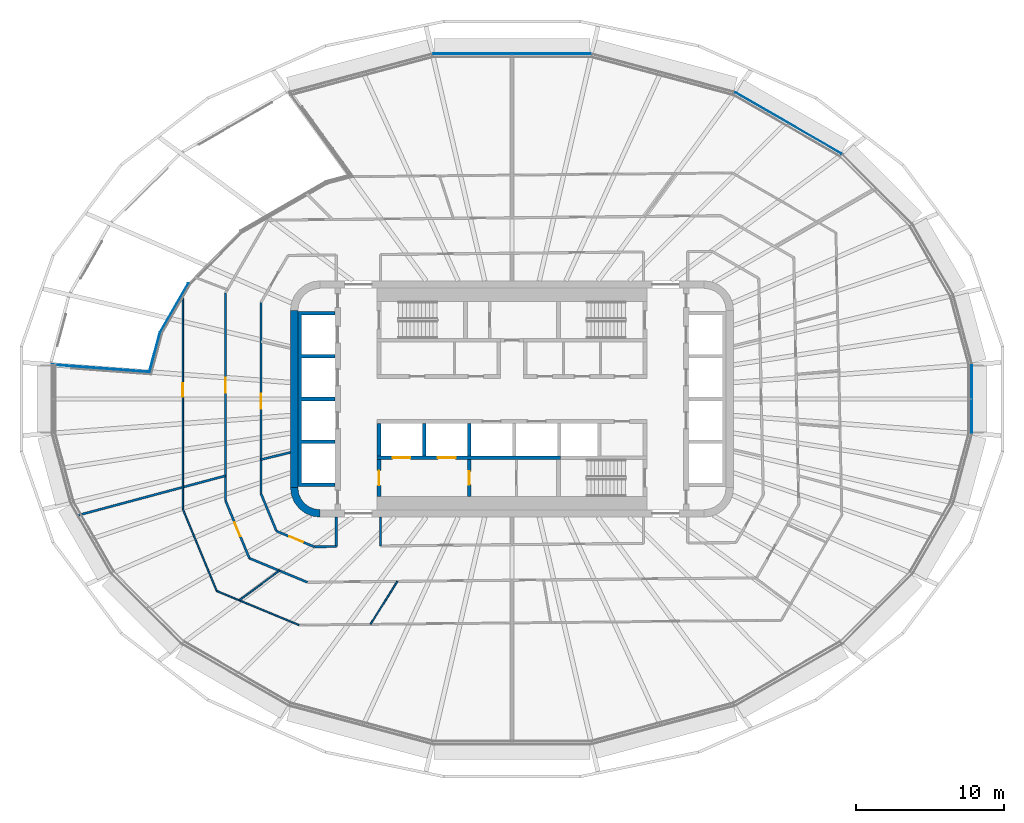
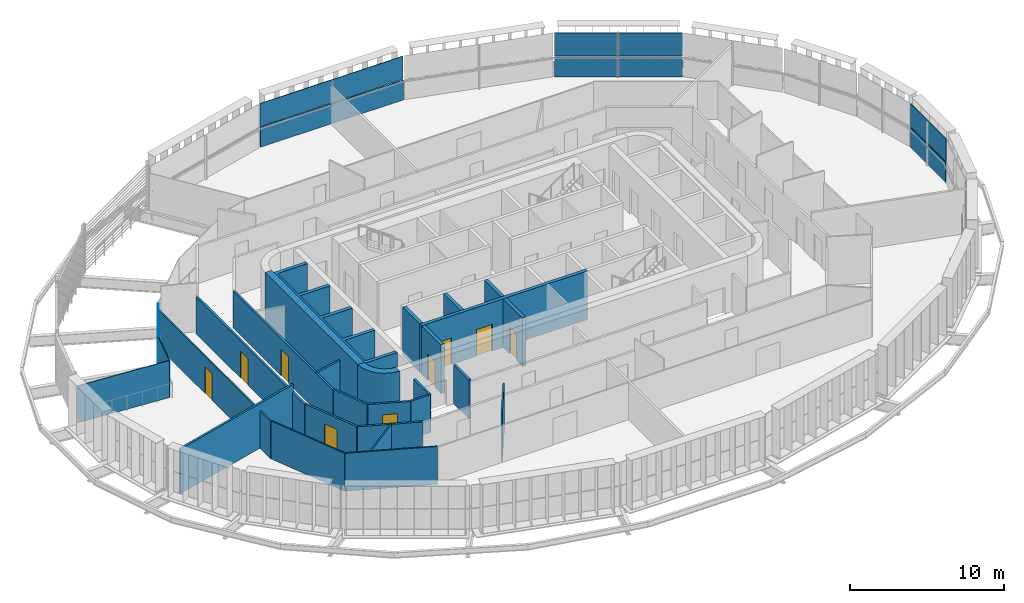
# One storey, part 11 of 23: 28 walls, 9 doors, 6 plates, 9 openings, 3 elements without a shape of their own.
"""IFC4 building model written with IfcOpenShell, lengths in metres."""

from ifc_helpers import new_model, si_unit, direction, frame, frame_2d, origin, place, context, subcontext, project, spatial, polyline, rectangle, outline, extrude, material, layer, layer_set, type_object, element, fill, aggregate, save


model = new_model("IFC4")

# Units and contexts
model_context = context("Model", 3, precision=1e-05, world=origin(), true_north=direction((0.0, 1.0)))
body_context = subcontext(model_context, "Body", "Model", "MODEL_VIEW")
ifc_project = project(units=[si_unit("LENGTHUNIT", "METRE"), si_unit("AREAUNIT", "SQUARE_METRE"), si_unit("VOLUMEUNIT", "CUBIC_METRE"), si_unit("PLANEANGLEUNIT", "RADIAN"), si_unit("MASSUNIT", "GRAM", prefix="KILO")], contexts=[model_context])

# Site, building, storey
site_placement = place(None, origin())
site = spatial("IfcSite", under=ifc_project, at=site_placement, CompositionType="ELEMENT")
building_placement = place(site_placement, origin())
building = spatial("IfcBuilding", under=site, at=building_placement, Name="Sahrelin Media Tower", CompositionType="ELEMENT")
storey_placement = place(building_placement, frame((0.0, 0.0, 173.60009765625)))
storey = spatial("IfcBuildingStorey", under=building, at=storey_placement, Name="L36", CompositionType="ELEMENT", Elevation=173.60009765625)

# Curtain wall, plate
ifc_material_1 = material(Name="Champagne anodised aluminium 6063-T6", Category="aluminium")
ifc_layer_1 = layer(ifc_material_1, 0.14990234375)
ifc_layer_set_1 = layer_set([ifc_layer_1], Name="Tower ribbon curtain wall")
curtain_wall_type = type_object("IfcCurtainWallType", Name="Tower ribbon curtain wall", PredefinedType="NOTDEFINED", material=ifc_layer_set_1)
curtain_wall_1_placement = place(storey_placement, frame((31.14892578125, 0.0, 0.0), z_axis=(0.0, 0.0, 1.0), x_axis=(1.0, 0.0, 0.0)))
curtain_wall_1 = element("IfcCurtainWall", 1, at=curtain_wall_1_placement, inside=storey, type_object=curtain_wall_type, Name="L36:CW:L36-00", PredefinedType="NOTDEFINED")
ifc_material_2 = material(Name="Clear low-iron glazing", Category="glass")
ifc_layer_2 = layer(ifc_material_2, 0.0439453125)
ifc_layer_set_2 = layer_set([ifc_layer_2], Name="Glazing panel 44 mm CW1B")
plate_type_1 = type_object("IfcPlateType", Name="Glazing panel 44 mm CW1B", PredefinedType="CURTAIN_PANEL", material=ifc_layer_set_2)
plate_1_placement = place(storey_placement, frame((31.1689453125, -2.277099609375, 1.6298828125), z_axis=(1.0, 0.0, 0.0), x_axis=(0.0, 1.0, 0.0)))
plate_1 = element("IfcPlate", 2, at=plate_1_placement, type_object=plate_type_1, Name="L36:CWP2:L36-00", PredefinedType="CURTAIN_PANEL", context=body_context, shape_type="SweptSolid", body=[
    extrude(outline(polyline([(0.0, 0.0), (4.55419921875, 0.0), (4.55419921875, 1.818603515625), (0.0, 1.818603515625), (0.0, 0.0)])), origin(), (0.0, 0.0, -1.0), 0.0439453125),
])

curtain_wall_2_placement = place(storey_placement, frame((18.73095703125, 18.67919921875, 0.0), z_axis=(0.0, 0.0, 1.0), x_axis=(1.0, 0.0, 0.0)))
curtain_wall_2 = element("IfcCurtainWall", 3, at=curtain_wall_2_placement, inside=storey, type_object=curtain_wall_type, Name="L36:CW:L36-04", PredefinedType="NOTDEFINED")
plate_2_placement = place(storey_placement, frame((22.328857421875, 16.625244140625, 1.6298828125), z_axis=(0.500002170987, 0.866024150361, 0.0), x_axis=(-0.866024150361, 0.500002170987, 0.0)))
plate_2 = element("IfcPlate", 4, at=plate_2_placement, type_object=plate_type_1, Name="L36:CWP2:L36-04", PredefinedType="CURTAIN_PANEL", context=body_context, shape_type="SweptSolid", body=[
    extrude(outline(polyline([(0.0, 0.0), (8.28564453125, 0.0), (8.28564453125, 1.818603515625), (0.0, 1.818603515625), (0.0, 0.0)])), origin(), (0.0, 0.0, -1.0), 0.0439453125),
])

curtain_wall_3_placement = place(storey_placement, frame((0.0, 23.37646484375, 0.0), z_axis=(0.0, 0.0, 1.0), x_axis=(1.0, 0.0, 0.0)))
curtain_wall_3 = element("IfcCurtainWall", 5, at=curtain_wall_3_placement, inside=storey, type_object=curtain_wall_type, Name="L36:CW:L36-06", PredefinedType="NOTDEFINED")
plate_3_placement = place(storey_placement, frame((5.343994140625, 23.396484375, 1.6298828125), z_axis=(0.0, 1.0, 0.0), x_axis=(-1.0, 0.0, 0.0)))
plate_3 = element("IfcPlate", 6, at=plate_3_placement, type_object=plate_type_1, Name="L36:CWP2:L36-06", PredefinedType="CURTAIN_PANEL", context=body_context, shape_type="SweptSolid", body=[
    extrude(outline(polyline([(0.0, 0.0), (10.68798828125, 0.0), (10.68798828125, 1.818603515625), (0.0, 1.818603515625), (0.0, 0.0)])), origin(), (0.0, 0.0, -1.0), 0.0439453125),
])

# Plate
ifc_material_3 = material(Name="Insulated spandrel panel")
ifc_layer_3 = layer(ifc_material_3, 0.06005859375)
ifc_layer_set_3 = layer_set([ifc_layer_3], Name="Spandrel panel 60 mm CW1")
plate_type_2 = type_object("IfcPlateType", Name="Spandrel panel 60 mm CW1", PredefinedType="SHEET", material=ifc_layer_set_3)
plate_4_placement = place(storey_placement, frame((31.1689453125, -2.277099609375, 0.0), z_axis=(1.0, 0.0, 0.0), x_axis=(0.0, 1.0, 0.0)))
plate_4 = element("IfcPlate", 7, at=plate_4_placement, type_object=plate_type_2, Name="L36:CWP1:L36-00", PredefinedType="SHEET", context=body_context, shape_type="SweptSolid", body=[
    extrude(outline(polyline([(0.0, 0.0), (4.55419921875, 0.0), (4.55419921875, 1.56982421875), (0.0, 1.56982421875), (0.0, 0.0)])), origin(), (0.0, 0.0, -1.0), 0.06005859375),
])

aggregate(curtain_wall_1, [plate_4, plate_1])

plate_5_placement = place(storey_placement, frame((22.328857421875, 16.625244140625, 0.0), z_axis=(0.500002170987, 0.866024150361, 0.0), x_axis=(-0.866024150361, 0.500002170987, 0.0)))
plate_5 = element("IfcPlate", 8, at=plate_5_placement, type_object=plate_type_2, Name="L36:CWP1:L36-04", PredefinedType="SHEET", context=body_context, shape_type="SweptSolid", body=[
    extrude(outline(polyline([(0.0, 0.0), (8.28564453125, 0.0), (8.28564453125, 1.56982421875), (0.0, 1.56982421875), (0.0, 0.0)])), origin(), (0.0, 0.0, -1.0), 0.06005859375),
])

aggregate(curtain_wall_2, [plate_5, plate_2])

plate_6_placement = place(storey_placement, frame((5.343994140625, 23.396484375, 0.0), z_axis=(0.0, 1.0, 0.0), x_axis=(-1.0, 0.0, 0.0)))
plate_6 = element("IfcPlate", 9, at=plate_6_placement, type_object=plate_type_2, Name="L36:CWP1:L36-06", PredefinedType="SHEET", context=body_context, shape_type="SweptSolid", body=[
    extrude(outline(polyline([(0.0, 0.0), (10.68798828125, 0.0), (10.68798828125, 1.56982421875), (0.0, 1.56982421875), (0.0, 0.0)])), origin(), (0.0, 0.0, -1.0), 0.06005859375),
])

aggregate(curtain_wall_3, [plate_6, plate_3])

# Walls
ifc_material_4 = material(Name="Concrete C60/75", Category="concrete")
ifc_layer_4 = layer(ifc_material_4, 0.5)
ifc_layer_set_4 = layer_set([ifc_layer_4], Name="Core wall 500")
wall_type_1 = type_object("IfcWallType", Name="Core wall 500", PredefinedType="SHEAR", material=ifc_layer_set_4)
wall_1_placement = place(storey_placement, frame((-14.75, -6.0, 0.0), z_axis=(0.0, 0.0, 1.0), x_axis=(0.0, 1.0, 0.0)))
element("IfcWall", 10, at=wall_1_placement, inside=storey, type_object=wall_type_1, Name="Core wall W L36", PredefinedType="SHEAR", context=body_context, shape_type="SweptSolid", body=[
    extrude(rectangle(XDim=12.0, YDim=0.5, at=frame_2d((6.0, 0.0))), origin(), (0.0, 0.0, 1.0), 4.0),
])
placement = place(storey_placement, origin())
element("IfcWall", 11, at=placement, inside=storey, type_object=wall_type_1, Name="Core wall corner SW L36", PredefinedType="SHEAR", context=body_context, shape_type="SweptSolid", body=[
    extrude(outline(polyline([(-13.0, -8.0), (-13.0, -7.49560546875), (-13.38720703125, -7.44482421875), (-13.747802734375, -7.29541015625), (-14.0576171875, -7.0576171875), (-14.29541015625, -6.747802734375), (-14.44482421875, -6.38720703125), (-14.49560546875, -6.0), (-15.0, -6.0), (-14.931884765625, -6.517578125), (-14.732177734375, -7.0), (-14.414306640625, -7.414306640625), (-14.0, -7.732177734375), (-13.517578125, -7.931884765625), (-13.0, -8.0)])), origin(), (0.0, 0.0, 1.0), 4.0),
])

# Wall, opening, door
ifc_material_5 = material(Name="Fire-rated gypsum board partition")
ifc_layer_5 = layer(ifc_material_5, 0.14990234375)
ifc_layer_set_5 = layer_set([ifc_layer_5], Name="Fire-rated partition 150")
wall_type_2 = type_object("IfcWallType", Name="Fire-rated partition 150", PredefinedType="PARTITIONING", material=ifc_layer_set_5)
wall_3_placement = place(storey_placement, frame((-19.39990234375, -6.8759765625, 0.0), z_axis=(0.0, 0.0, 1.0), x_axis=(0.382843135608, -0.92381336509, 0.0)))
wall_3 = element("IfcWall", 12, at=wall_3_placement, inside=storey, type_object=wall_type_2, Name="Wall", PredefinedType="PARTITIONING", context=body_context, shape_type="SweptSolid", body=[
    extrude(rectangle(XDim=4.227294921875, YDim=0.14990234375, at=frame_2d((2.11376953125, 0.0))), origin(), (0.0, 0.0, 1.0), 2.994873046875),
])
opening_1_placement = place(wall_3_placement, frame((1.6103515625, 0.0, 0.0)))
opening_1 = element("IfcOpeningElement", 13, at=opening_1_placement, cuts=wall_3, Name="Opening L36-D33", PredefinedType="OPENING", context=body_context, shape_type="SweptSolid", body=[
    extrude(rectangle(XDim=1.0, YDim=2.10009765625, at=frame_2d((0.5, 1.050048828125))), frame((0.0, 0.074951171875, 0.0), z_axis=(0.0, -1.0, 0.0), x_axis=(1.0, 0.0, 0.0)), (0.0, 0.0, 1.0), 0.14990234375),
])
ifc_material_6 = material(Name="Steel fire door leaf", Category="steel")
door_type_1 = type_object("IfcDoorType", Name="Fire door 1000 x 2100 EI 60", OperationType="NOTDEFINED", PredefinedType="DOOR", material=ifc_material_6)
door_1_placement = place(opening_1_placement, origin())
door_1 = element("IfcDoor", 14, at=door_1_placement, inside=storey, type_object=door_type_1, Name="Fire door", OperationType="SINGLE_SWING_LEFT", OverallHeight=2.10009765625, OverallWidth=1.0, PredefinedType="DOOR", context=body_context, shape_type="SweptSolid", body=[
    extrude(rectangle(XDim=1.0, YDim=2.10009765625, at=frame_2d((0.5, 1.050048828125))), frame((0.0, 0.02490234375, 0.0), z_axis=(0.0, -1.0, 0.0), x_axis=(1.0, 0.0, 0.0)), (0.0, 0.0, 1.0), 0.050048828125),
])
fill(opening_1, door_1)

# Walls
wall_4_placement = place(storey_placement, frame((-17.0, -6.39794921875, 0.0), z_axis=(0.0, 0.0, 1.0), x_axis=(0.382828866893, -0.923819278146, 0.0)))
element("IfcWall", 15, at=wall_4_placement, inside=storey, type_object=wall_type_2, Name="Wall", PredefinedType="PARTITIONING", context=body_context, shape_type="SweptSolid", body=[
    extrude(rectangle(XDim=2.7568359375, YDim=0.14990234375, at=frame_2d((1.37841796875, 0.0))), origin(), (0.0, 0.0, 1.0), 2.994873046875),
])
wall_5_placement = place(storey_placement, frame((-17.781005859375, -10.781005859375, 0.0), z_axis=(0.0, 0.0, 1.0), x_axis=(0.923785728675, -0.3829098164, 0.0)))
element("IfcWall", 16, at=wall_5_placement, inside=storey, type_object=wall_type_2, Name="Wall", PredefinedType="PARTITIONING", context=body_context, shape_type="SweptSolid", body=[
    extrude(rectangle(XDim=4.250244140625, YDim=0.14990234375, at=frame_2d((2.125, 0.0))), origin(), (0.0, 0.0, 1.0), 2.994873046875),
])

# Wall, opening, door
wall_6_placement = place(storey_placement, frame((-15.945068359375, -8.945068359375, 0.0), z_axis=(0.0, 0.0, 1.0), x_axis=(0.92378777743, -0.382904873658, 0.0)))
wall_6 = element("IfcWall", 17, at=wall_6_placement, inside=storey, type_object=wall_type_2, Name="Wall", PredefinedType="PARTITIONING", context=body_context, shape_type="SweptSolid", body=[
    extrude(rectangle(XDim=2.767822265625, YDim=0.14990234375, at=frame_2d((1.3837890625, 0.0))), origin(), (0.0, 0.0, 1.0), 2.994873046875),
])
opening_2_placement = place(wall_6_placement, frame((0.936279296875, 0.0, 0.0)))
opening_2 = element("IfcOpeningElement", 18, at=opening_2_placement, cuts=wall_6, Name="Opening L36-D32", PredefinedType="OPENING", context=body_context, shape_type="SweptSolid", body=[
    extrude(rectangle(XDim=1.0, YDim=2.10009765625, at=frame_2d((0.5, 1.050048828125))), frame((0.0, 0.074951171875, 0.0), z_axis=(0.0, -1.0, 0.0), x_axis=(1.0, 0.0, 0.0)), (0.0, 0.0, 1.0), 0.14990234375),
])
door_2_placement = place(opening_2_placement, origin())
door_2 = element("IfcDoor", 19, at=door_2_placement, inside=storey, type_object=door_type_1, Name="Fire door", OperationType="SINGLE_SWING_RIGHT", OverallHeight=2.10009765625, OverallWidth=1.0, PredefinedType="DOOR", context=body_context, shape_type="SweptSolid", body=[
    extrude(rectangle(XDim=1.0, YDim=2.10009765625, at=frame_2d((0.5, 1.050048828125))), frame((0.0, 0.02490234375, 0.0), z_axis=(0.0, -1.0, 0.0), x_axis=(1.0, 0.0, 0.0)), (0.0, 0.0, 1.0), 0.050048828125),
])
fill(opening_2, door_2)

# Walls
wall_7_placement = place(storey_placement, frame((-13.387939453125, -10.00390625, 0.0), z_axis=(0.0, 0.0, 1.0), x_axis=(0.999951550029, 0.009843657588, 0.0)))
element("IfcWall", 20, at=wall_7_placement, inside=storey, type_object=wall_type_2, Name="Wall", PredefinedType="PARTITIONING", context=body_context, shape_type="SweptSolid", body=[
    extrude(rectangle(XDim=1.488037109375, YDim=0.14990234375, at=frame_2d((0.744140625, 0.0))), origin(), (0.0, 0.0, 1.0), 2.994873046875),
])
wall_8_placement = place(storey_placement, frame((-17.0, -4.10107421875, 0.0), z_axis=(0.0, 0.0, 1.0), x_axis=(0.972092474047, 0.234598000634, 0.0)))
element("IfcWall", 21, at=wall_8_placement, inside=storey, type_object=wall_type_2, Name="Wall", PredefinedType="PARTITIONING", context=body_context, shape_type="SweptSolid", body=[
    extrude(rectangle(XDim=2.057373046875, YDim=0.14990234375, at=frame_2d((1.02880859375, 0.0))), origin(), (0.0, 0.0, 1.0), 2.927001953125),
])
wall_9_placement = place(storey_placement, frame((-29.39892578125, -7.876953125, 0.0), z_axis=(0.0, 0.0, 1.0), x_axis=(0.965938367102, 0.258772237617, 0.0)))
element("IfcWall", 22, at=wall_9_placement, inside=storey, type_object=wall_type_2, Name="Wall", PredefinedType="PARTITIONING", context=body_context, shape_type="SweptSolid", body=[
    extrude(rectangle(XDim=10.3515625, YDim=0.14990234375, at=frame_2d((5.17578125, 0.0))), origin(), (0.0, 0.0, 1.0), 3.526611328125),
])
wall_10_placement = place(storey_placement, frame((-8.89990234375, -9.948974609375, 0.0), z_axis=(0.0, 0.0, 1.0), x_axis=(0.0, 1.0, 0.0)))
element("IfcWall", 23, at=wall_10_placement, inside=storey, type_object=wall_type_2, Name="Wall", PredefinedType="PARTITIONING", context=body_context, shape_type="SweptSolid", body=[
    extrude(rectangle(XDim=1.948974609375, YDim=0.14990234375, at=frame_2d((0.974609375, 0.0))), origin(), (0.0, 0.0, 1.0), 3.075927734375),
])
wall_11_placement = place(storey_placement, frame((-11.89990234375, -9.989013671875, 0.0), z_axis=(0.0, 0.0, 1.0), x_axis=(0.0, 1.0, 0.0)))
element("IfcWall", 24, at=wall_11_placement, inside=storey, type_object=wall_type_2, Name="Wall", PredefinedType="PARTITIONING", context=body_context, shape_type="SweptSolid", body=[
    extrude(rectangle(XDim=1.989013671875, YDim=0.14990234375, at=frame_2d((0.99462890625, 0.0))), origin(), (0.0, 0.0, 1.0), 2.994873046875),
])

# Wall, opening, door
wall_12_placement = place(storey_placement, frame((-17.0, -6.39794921875, 0.0), z_axis=(0.0, 0.0, 1.0), x_axis=(0.0, 1.0, 0.0)))
wall_12 = element("IfcWall", 25, at=wall_12_placement, inside=storey, type_object=wall_type_2, Name="Wall", PredefinedType="PARTITIONING", context=body_context, shape_type="SweptSolid", body=[
    extrude(rectangle(XDim=12.933837890625, YDim=0.14990234375, at=frame_2d((6.466796875, 0.0))), origin(), (0.0, 0.0, 1.0), 2.927001953125),
])
opening_3_placement = place(wall_12_placement, frame((5.74169921875, 0.0, 0.0)))
opening_3 = element("IfcOpeningElement", 26, at=opening_3_placement, cuts=wall_12, Name="Opening L36-D31", PredefinedType="OPENING", context=body_context, shape_type="SweptSolid", body=[
    extrude(rectangle(XDim=1.0, YDim=2.10009765625, at=frame_2d((0.5, 1.050048828125))), frame((0.0, 0.074951171875, 0.0), z_axis=(0.0, -1.0, 0.0), x_axis=(1.0, 0.0, 0.0)), (0.0, 0.0, 1.0), 0.14990234375),
])
door_3_placement = place(opening_3_placement, origin())
door_3 = element("IfcDoor", 27, at=door_3_placement, inside=storey, type_object=door_type_1, Name="Fire door", OperationType="SINGLE_SWING_RIGHT", OverallHeight=2.10009765625, OverallWidth=1.0, PredefinedType="DOOR", context=body_context, shape_type="SweptSolid", body=[
    extrude(rectangle(XDim=1.0, YDim=2.10009765625, at=frame_2d((0.5, 1.050048828125))), frame((0.0, 0.02490234375, 0.0), z_axis=(0.0, -1.0, 0.0), x_axis=(1.0, 0.0, 0.0)), (0.0, 0.0, 1.0), 0.050048828125),
])
fill(opening_3, door_3)

wall_13_placement = place(storey_placement, frame((-19.39990234375, -6.8759765625, 0.0), z_axis=(0.0, 0.0, 1.0), x_axis=(0.0, 1.0, 0.0)))
wall_13 = element("IfcWall", 28, at=wall_13_placement, inside=storey, type_object=wall_type_2, Name="Wall", PredefinedType="PARTITIONING", context=body_context, shape_type="SweptSolid", body=[
    extrude(rectangle(XDim=14.054931640625, YDim=0.14990234375, at=frame_2d((7.02734375, 0.0))), origin(), (0.0, 0.0, 1.0), 2.927001953125),
])
opening_4_placement = place(wall_13_placement, frame((7.316162109375, 0.0, 0.0)))
opening_4 = element("IfcOpeningElement", 29, at=opening_4_placement, cuts=wall_13, Name="Opening L36-D54", PredefinedType="OPENING", context=body_context, shape_type="SweptSolid", body=[
    extrude(rectangle(XDim=1.0, YDim=2.10009765625, at=frame_2d((0.5, 1.050048828125))), frame((0.0, 0.074951171875, 0.0), z_axis=(0.0, -1.0, 0.0), x_axis=(1.0, 0.0, 0.0)), (0.0, 0.0, 1.0), 0.14990234375),
])
door_4_placement = place(opening_4_placement, origin())
door_4 = element("IfcDoor", 30, at=door_4_placement, inside=storey, type_object=door_type_1, Name="Fire door", OperationType="SINGLE_SWING_RIGHT", OverallHeight=2.10009765625, OverallWidth=1.0, PredefinedType="DOOR", context=body_context, shape_type="SweptSolid", body=[
    extrude(rectangle(XDim=1.0, YDim=2.10009765625, at=frame_2d((0.5, 1.050048828125))), frame((0.0, 0.02490234375, 0.0), z_axis=(0.0, -1.0, 0.0), x_axis=(1.0, 0.0, 0.0)), (0.0, 0.0, 1.0), 0.050048828125),
])
fill(opening_4, door_4)

ifc_layer_6 = layer(ifc_material_5, 0.25)
ifc_layer_set_6 = layer_set([ifc_layer_6], Name="Firefighting lobby wall 250")
wall_type_3 = type_object("IfcWallType", Name="Firefighting lobby wall 250", PredefinedType="PARTITIONING", material=ifc_layer_set_6)
wall_14_placement = place(storey_placement, frame((-9.0, -6.60009765625, 0.0), z_axis=(0.0, 0.0, 1.0), x_axis=(0.0, 1.0, 0.0)))
wall_14 = element("IfcWall", 31, at=wall_14_placement, inside=storey, type_object=wall_type_3, Name="Core wall", PredefinedType="PARTITIONING", context=body_context, shape_type="SweptSolid", body=[
    extrude(rectangle(XDim=2.5, YDim=0.25, at=frame_2d((1.25, 0.0))), origin(), (0.0, 0.0, 1.0), 3.849853515625),
])
opening_5_placement = place(wall_14_placement, frame((0.75, 0.0, 0.0)))
opening_5 = element("IfcOpeningElement", 32, at=opening_5_placement, cuts=wall_14, Name="Opening L36-D04", PredefinedType="OPENING", context=body_context, shape_type="SweptSolid", body=[
    extrude(rectangle(XDim=1.0, YDim=2.10009765625, at=frame_2d((0.5, 1.050048828125))), frame((0.0, 0.125, 0.0), z_axis=(0.0, -1.0, 0.0), x_axis=(1.0, 0.0, 0.0)), (0.0, 0.0, 1.0), 0.25),
])
door_type_2 = type_object("IfcDoorType", Name="Firefighting lobby door 1000 x 2100 EI 120", OperationType="NOTDEFINED", PredefinedType="DOOR", material=ifc_material_6)
door_5_placement = place(opening_5_placement, origin())
door_5 = element("IfcDoor", 33, at=door_5_placement, inside=storey, type_object=door_type_2, Name="Firefighting lobby door", OperationType="SINGLE_SWING_LEFT", OverallHeight=2.10009765625, OverallWidth=1.0, PredefinedType="DOOR", context=body_context, shape_type="SweptSolid", body=[
    extrude(rectangle(XDim=1.0, YDim=2.10009765625, at=frame_2d((0.5, 1.050048828125))), frame((0.0, 0.02490234375, 0.0), z_axis=(0.0, -1.0, 0.0), x_axis=(1.0, 0.0, 0.0)), (0.0, 0.0, 1.0), 0.050048828125),
])
fill(opening_5, door_5)

wall_15_placement = place(storey_placement, frame((-2.89990234375, -6.60009765625, 0.0), z_axis=(0.0, 0.0, 1.0), x_axis=(0.0, 1.0, 0.0)))
wall_15 = element("IfcWall", 34, at=wall_15_placement, inside=storey, type_object=wall_type_3, Name="Core wall", PredefinedType="PARTITIONING", context=body_context, shape_type="SweptSolid", body=[
    extrude(rectangle(XDim=2.5, YDim=0.25, at=frame_2d((1.25, 0.0))), origin(), (0.0, 0.0, 1.0), 3.849853515625),
])
opening_6_placement = place(wall_15_placement, frame((0.800048828125, 0.0, 0.0)))
opening_6 = element("IfcOpeningElement", 35, at=opening_6_placement, cuts=wall_15, Name="Opening L36-D05", PredefinedType="OPENING", context=body_context, shape_type="SweptSolid", body=[
    extrude(rectangle(XDim=0.89990234375, YDim=2.10009765625, at=frame_2d((0.449951171875, 1.050048828125))), frame((0.0, 0.125, 0.0), z_axis=(0.0, -1.0, 0.0), x_axis=(1.0, 0.0, 0.0)), (0.0, 0.0, 1.0), 0.25),
])
door_type_3 = type_object("IfcDoorType", Name="Firefighting lobby door 900 x 2100 EI 120", OperationType="NOTDEFINED", PredefinedType="DOOR", material=ifc_material_6)
door_6_placement = place(opening_6_placement, origin())
door_6 = element("IfcDoor", 36, at=door_6_placement, inside=storey, type_object=door_type_3, Name="Riser door", OperationType="SINGLE_SWING_RIGHT", OverallHeight=2.10009765625, OverallWidth=0.89990234375, PredefinedType="DOOR", context=body_context, shape_type="SweptSolid", body=[
    extrude(rectangle(XDim=0.89990234375, YDim=2.10009765625, at=frame_2d((0.449951171875, 1.050048828125))), frame((0.0, 0.02490234375, 0.0), z_axis=(0.0, -1.0, 0.0), x_axis=(1.0, 0.0, 0.0)), (0.0, 0.0, 1.0), 0.050048828125),
])
fill(opening_6, door_6)

# Walls
ifc_material_7 = material(Name="Clear glass", Category="glass")
ifc_layer_7 = layer(ifc_material_7, 0.050048828125)
ifc_layer_set_7 = layer_set([ifc_layer_7], Name="Glazed partition 50")
wall_type_4 = type_object("IfcWallType", Name="Glazed partition 50", PredefinedType="PARTITIONING", material=ifc_layer_set_7)
wall_16_placement = place(storey_placement, frame((-31.14892578125, 2.326904296875, 0.0), z_axis=(0.0, 0.0, 1.0), x_axis=(0.997220120726, -0.074511950844, 0.0)))
element("IfcWall", 37, at=wall_16_placement, inside=storey, type_object=wall_type_4, Name="Wall", PredefinedType="PARTITIONING", context=body_context, shape_type="SweptSolid", body=[
    extrude(rectangle(XDim=6.615234375, YDim=0.050048828125, at=frame_2d((3.3076171875, 0.0))), origin(), (0.0, 0.0, 1.0), 2.927001953125),
])
wall_17_placement = place(storey_placement, frame((-23.83203125, 4.52001953125, 0.0), z_axis=(0.0, 0.0, 1.0), x_axis=(0.499878937759, 0.866095287821, 0.0)))
element("IfcWall", 38, at=wall_17_placement, inside=storey, type_object=wall_type_4, Name="Wall", PredefinedType="PARTITIONING", context=body_context, shape_type="SweptSolid", body=[
    extrude(rectangle(XDim=3.82666015625, YDim=0.050048828125, at=frame_2d((1.913330078125, 0.0))), origin(), (0.0, 0.0, 1.0), 2.927001953125),
])
wall_18_placement = place(storey_placement, frame((-24.552001953125, 1.833984375, 0.0), z_axis=(0.0, 0.0, 1.0), x_axis=(0.258902839264, 0.965903369815, 0.0)))
element("IfcWall", 39, at=wall_18_placement, inside=storey, type_object=wall_type_4, Name="Wall", PredefinedType="PARTITIONING", context=body_context, shape_type="SweptSolid", body=[
    extrude(rectangle(XDim=2.78076171875, YDim=0.050048828125, at=frame_2d((1.390380859375, 0.0))), origin(), (0.0, 0.0, 1.0), 2.927001953125),
])

# Wall, openings, doors
ifc_layer_8 = layer(ifc_material_4, 0.25)
ifc_layer_set_8 = layer_set([ifc_layer_8], Name="Lift shaft wall 250")
wall_type_5 = type_object("IfcWallType", Name="Lift shaft wall 250", PredefinedType="SOLIDWALL", material=ifc_layer_set_8)
wall_19_placement = place(storey_placement, frame((-9.125, -3.97509765625, 0.0), z_axis=(0.0, 0.0, 1.0), x_axis=(1.0, 0.0, 0.0)))
wall_19 = element("IfcWall", 40, at=wall_19_placement, inside=storey, type_object=wall_type_5, Name="Lift shaft wall", PredefinedType="SOLIDWALL", context=body_context, shape_type="SweptSolid", body=[
    extrude(rectangle(XDim=12.39990234375, YDim=0.25, at=frame_2d((6.199951171875, 0.0))), origin(), (0.0, 0.0, 1.0), 3.849853515625),
])
opening_7_placement = place(wall_19_placement, frame((1.050048828125, 0.0, 0.0)))
opening_7 = element("IfcOpeningElement", 41, at=opening_7_placement, cuts=wall_19, Name="Opening L36-LD-FF1", PredefinedType="OPENING", context=body_context, shape_type="SweptSolid", body=[
    extrude(rectangle(XDim=1.199951171875, YDim=2.10009765625, at=frame_2d((0.60009765625, 1.050048828125))), frame((0.0, 0.125, 0.0), z_axis=(0.0, -1.0, 0.0), x_axis=(1.0, 0.0, 0.0)), (0.0, 0.0, 1.0), 0.25),
])
opening_8_placement = place(wall_19_placement, frame((4.10009765625, 0.0, 0.0)))
opening_8 = element("IfcOpeningElement", 42, at=opening_8_placement, cuts=wall_19, Name="Opening L36-LD-FF2", PredefinedType="OPENING", context=body_context, shape_type="SweptSolid", body=[
    extrude(rectangle(XDim=1.199951171875, YDim=2.10009765625, at=frame_2d((0.60009765625, 1.050048828125))), frame((0.0, 0.125, 0.0), z_axis=(0.0, -1.0, 0.0), x_axis=(1.0, 0.0, 0.0)), (0.0, 0.0, 1.0), 0.25),
])
ifc_material_8 = material(Name="Stainless steel", Category="steel")
door_type_4 = type_object("IfcDoorType", Name="Lift landing door 1200 x 2100 EI 120", OperationType="DOUBLE_DOOR_SLIDING", PredefinedType="DOOR", material=ifc_material_8)
door_7_placement = place(opening_7_placement, origin())
door_7 = element("IfcDoor", 43, at=door_7_placement, inside=storey, type_object=door_type_4, Name="Lift landing door FF1", OperationType="DOUBLE_DOOR_SLIDING", OverallHeight=2.10009765625, OverallWidth=1.199951171875, PredefinedType="DOOR", context=body_context, shape_type="SweptSolid", body=[
    extrude(rectangle(XDim=1.199951171875, YDim=2.10009765625, at=frame_2d((0.60009765625, 1.050048828125))), frame((0.0, 0.02490234375, 0.0), z_axis=(0.0, -1.0, 0.0), x_axis=(1.0, 0.0, 0.0)), (0.0, 0.0, 1.0), 0.050048828125),
])
fill(opening_7, door_7)
door_8_placement = place(opening_8_placement, origin())
door_8 = element("IfcDoor", 44, at=door_8_placement, inside=storey, type_object=door_type_4, Name="Lift landing door FF2", OperationType="DOUBLE_DOOR_SLIDING", OverallHeight=2.10009765625, OverallWidth=1.199951171875, PredefinedType="DOOR", context=body_context, shape_type="SweptSolid", body=[
    extrude(rectangle(XDim=1.199951171875, YDim=2.10009765625, at=frame_2d((0.60009765625, 1.050048828125))), frame((0.0, 0.02490234375, 0.0), z_axis=(0.0, -1.0, 0.0), x_axis=(1.0, 0.0, 0.0)), (0.0, 0.0, 1.0), 0.050048828125),
])
fill(opening_8, door_8)

# Walls
for number, where, z_axis, x_axis, name in (
    (45, (-9.0, -3.85009765625, 0.0), (0.0, 0.0, 1.0), (0.0, 1.0, 0.0), "Lift shaft wall"),
    (46, (-5.949951171875, -3.85009765625, 0.0), (0.0, 0.0, 1.0), (0.0, 1.0, 0.0), "Lift shaft wall"),
    (47, (-2.89990234375, -3.85009765625, 0.0), (0.0, 0.0, 1.0), (0.0, 1.0, 0.0), "Lift shaft wall"),
):
    element("IfcWall", number, at=place(storey_placement, frame(where, z_axis=z_axis, x_axis=x_axis)), inside=storey, type_object=wall_type_5, Name=name, PredefinedType="SOLIDWALL", context=body_context, shape_type="SweptSolid", body=[
        extrude(rectangle(XDim=2.2001953125, YDim=0.25, at=frame_2d((1.10009765625, 0.0))), origin(), (0.0, 0.0, 1.0), 3.849853515625),
    ])
element("IfcWall", 48, at=placement, inside=storey, type_object=wall_type_5, Name="Lift shaft wall", PredefinedType="SOLIDWALL", context=body_context, shape_type="SweptSolid", body=[
    extrude(outline(polyline([(-12.0, -5.925048828125), (-12.0, -5.675048828125), (-14.25, -5.675048828125), (-14.25, -3.02490234375), (-12.0, -3.02490234375), (-12.0, -2.77490234375), (-14.25, -2.77490234375), (-14.25, -0.125), (-12.0, -0.125), (-12.0, 0.125), (-14.25, 0.125), (-14.25, 2.77490234375), (-12.0, 2.77490234375), (-12.0, 3.02490234375), (-14.25, 3.02490234375), (-14.25, 5.675048828125), (-12.0, 5.675048828125), (-12.0, 5.925048828125), (-14.25, 5.925048828125), (-14.5, 5.925048828125), (-14.5, 5.675048828125), (-14.5, 3.02490234375), (-14.5, 2.77490234375), (-14.5, 0.125), (-14.5, -0.125), (-14.5, -2.77490234375), (-14.5, -3.02490234375), (-14.5, -5.675048828125), (-14.5, -5.925048828125), (-14.25, -5.925048828125), (-12.0, -5.925048828125)])), origin(), (0.0, 0.0, 1.0), 3.849853515625),
])
ifc_material_9 = material(Name="Gypsum board partition")
ifc_layer_9 = layer(ifc_material_9, 0.10009765625)
ifc_layer_set_9 = layer_set([ifc_layer_9], Name="Partition 100")
wall_type_6 = type_object("IfcWallType", Name="Partition 100", PredefinedType="PARTITIONING", material=ifc_layer_set_9)
wall_21_placement = place(storey_placement, frame((-22.2900390625, -7.450927734375, 0.0), z_axis=(0.0, 0.0, 1.0), x_axis=(0.38290406786, -0.923788111428, 0.0)))
element("IfcWall", 49, at=wall_21_placement, inside=storey, type_object=wall_type_6, Name="Wall", PredefinedType="PARTITIONING", context=body_context, shape_type="SweptSolid", body=[
    extrude(rectangle(XDim=5.999267578125, YDim=0.10009765625, at=frame_2d((2.99951171875, 0.0))), origin(), (0.0, 0.0, 1.0), 2.994873046875),
])
wall_22_placement = place(storey_placement, frame((-19.992919921875, -12.992919921875, 0.0), z_axis=(0.0, 0.0, 1.0), x_axis=(0.923739670385, -0.383020915038, 0.0)))
element("IfcWall", 50, at=wall_22_placement, inside=storey, type_object=wall_type_6, Name="Wall", PredefinedType="PARTITIONING", context=body_context, shape_type="SweptSolid", body=[
    extrude(rectangle(XDim=6.0361328125, YDim=0.10009765625, at=frame_2d((3.01806640625, 0.0))), origin(), (0.0, 0.0, 1.0), 2.994873046875),
])
wall_23_placement = place(storey_placement, frame((-18.464111328125, -13.626953125, 0.0), z_axis=(0.0, 0.0, 1.0), x_axis=(0.804484337507, 0.593973863655, 0.0)))
element("IfcWall", 51, at=wall_23_placement, inside=storey, type_object=wall_type_6, Name="Wall", PredefinedType="PARTITIONING", context=body_context, shape_type="SweptSolid", body=[
    extrude(rectangle(XDim=3.373779296875, YDim=0.10009765625, at=frame_2d((1.68701171875, 0.0))), origin(), (0.0, 0.0, 1.0), 2.994873046875),
])
wall_24_placement = place(storey_placement, frame((-9.5869140625, -15.257080078125, 0.0), z_axis=(0.0, 0.0, 1.0), x_axis=(0.532015822643, 0.846734411996, 0.0)))
element("IfcWall", 52, at=wall_24_placement, inside=storey, type_object=wall_type_6, Name="Wall", PredefinedType="PARTITIONING", context=body_context, shape_type="SweptSolid", body=[
    extrude(rectangle(XDim=3.435791015625, YDim=0.10009765625, at=frame_2d((1.7177734375, 0.0))), origin(), (0.0, 0.0, 1.0), 3.849853515625),
])

# Wall, opening, door
wall_25_placement = place(storey_placement, frame((-22.2900390625, -7.450927734375, 0.0), z_axis=(0.0, 0.0, 1.0), x_axis=(0.0, 1.0, 0.0)))
wall_25 = element("IfcWall", 53, at=wall_25_placement, inside=storey, type_object=wall_type_6, Name="Wall", PredefinedType="PARTITIONING", context=body_context, shape_type="SweptSolid", body=[
    extrude(rectangle(XDim=14.641845703125, YDim=0.10009765625, at=frame_2d((7.32080078125, 0.0))), origin(), (0.0, 0.0, 1.0), 2.927001953125),
])
opening_9_placement = place(wall_25_placement, frame((7.610595703125, 0.0, 0.0)))
opening_9 = element("IfcOpeningElement", 54, at=opening_9_placement, cuts=wall_25, Name="Opening L36-D55", PredefinedType="OPENING", context=body_context, shape_type="SweptSolid", body=[
    extrude(rectangle(XDim=0.89990234375, YDim=2.10009765625, at=frame_2d((0.449951171875, 1.050048828125))), frame((0.0, 0.050048828125, 0.0), z_axis=(0.0, -1.0, 0.0), x_axis=(1.0, 0.0, 0.0)), (0.0, 0.0, 1.0), 0.10009765625),
])
ifc_material_10 = material(Name="Timber door leaf", Category="wood")
door_type_5 = type_object("IfcDoorType", Name="Single door 900 x 2100", OperationType="NOTDEFINED", PredefinedType="DOOR", material=ifc_material_10)
door_9_placement = place(opening_9_placement, origin())
door_9 = element("IfcDoor", 55, at=door_9_placement, inside=storey, type_object=door_type_5, Name="Single door", OperationType="SINGLE_SWING_RIGHT", OverallHeight=2.10009765625, OverallWidth=0.89990234375, PredefinedType="DOOR", context=body_context, shape_type="SweptSolid", body=[
    extrude(rectangle(XDim=0.89990234375, YDim=2.10009765625, at=frame_2d((0.449951171875, 1.050048828125))), frame((0.0, 0.02490234375, 0.0), z_axis=(0.0, -1.0, 0.0), x_axis=(1.0, 0.0, 0.0)), (0.0, 0.0, 1.0), 0.050048828125),
])
fill(opening_9, door_9)

save(model, "model.ifc")
